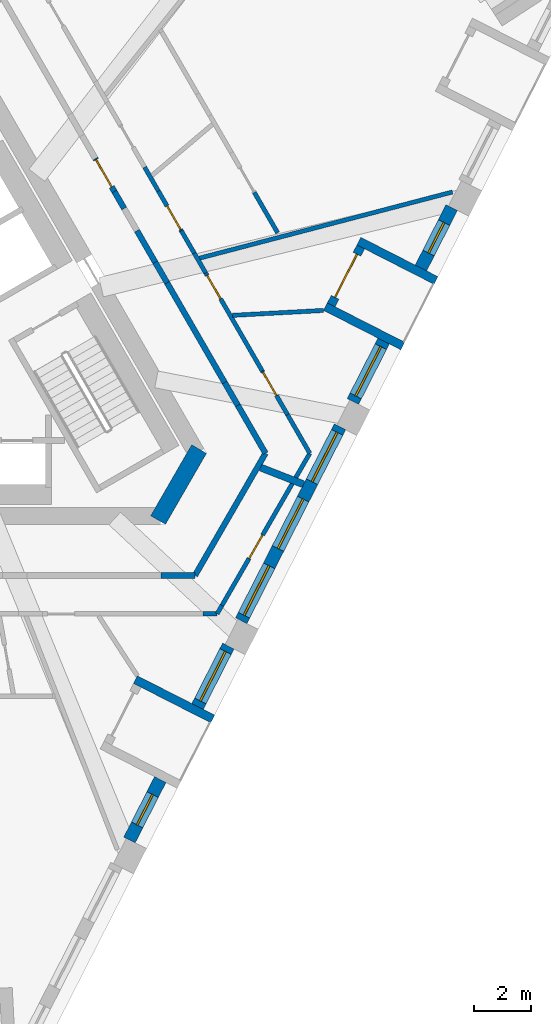
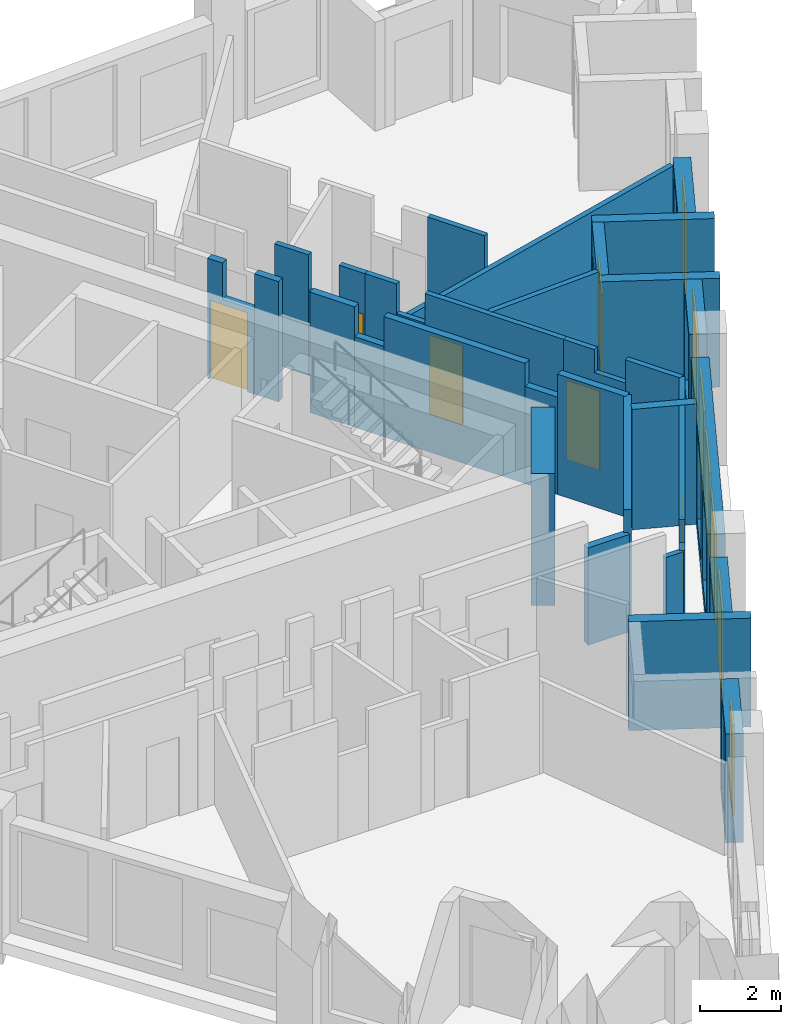
# One storey, part 5 of 12: 33 walls, 7 windows, 6 doors, 13 openings.
"""IFC4 building model written with IfcOpenShell, lengths in metres."""

from ifc_helpers import new_model, si_unit, direction, frame, frame_2d, origin, place, context, subcontext, project, spatial, polyline, rectangle, outline, extrude, material, layer, layer_set, type_object, element, fill, save


model = new_model("IFC4")

# Units and contexts
model_context = context("Model", 3, precision=1e-05, world=origin(), true_north=direction((0.0, 1.0)))
body_context = subcontext(model_context, "Body", "Model", "MODEL_VIEW")
ifc_project = project(units=[si_unit("LENGTHUNIT", "METRE"), si_unit("AREAUNIT", "SQUARE_METRE"), si_unit("VOLUMEUNIT", "CUBIC_METRE"), si_unit("PLANEANGLEUNIT", "RADIAN"), si_unit("MASSUNIT", "GRAM", prefix="KILO")], contexts=[model_context])

# Site, building, storey
site_placement = place(None, origin())
site = spatial("IfcSite", under=ifc_project, at=site_placement, CompositionType="ELEMENT")
building_placement = place(site_placement, origin())
building = spatial("IfcBuilding", under=site, at=building_placement, Name="Tramontana Tower", CompositionType="ELEMENT")
storey_placement = place(building_placement, frame((0.0, 0.0, 274.39990234375)))
storey = spatial("IfcBuildingStorey", under=building, at=storey_placement, Name="L64", CompositionType="ELEMENT", Elevation=274.39990234375)

# Walls
ifc_material_1 = material(Name="Concrete 70 MPa", Category="concrete")
ifc_layer_1 = layer(ifc_material_1, 0.60009765625)
ifc_layer_set_1 = layer_set([ifc_layer_1], Name="Core wall 600 70 MPa")
wall_type_1 = type_object("IfcWallType", Name="Core wall 600 70 MPa", PredefinedType="SHEAR", material=ifc_layer_set_1)
wall_1_placement = place(storey_placement, frame((8.544921875, -6.60009765625, 0.0), z_axis=(0.0, 0.0, 1.0), x_axis=(0.499995765644, 0.866027848477, 0.0)))
element("IfcWall", 1, at=wall_1_placement, inside=storey, type_object=wall_type_1, Name="Core wall C4 L64", PredefinedType="SHEAR", context=body_context, shape_type="SweptSolid", body=[
    extrude(rectangle(XDim=2.88671875, YDim=0.60009765625, at=frame_2d((1.443359375, 0.0))), origin(), (0.0, 0.0, 1.0), 4.0),
])
ifc_material_2 = material(Name="Blockwork", Category="masonry")
ifc_layer_2 = layer(ifc_material_2, 0.199951171875)
ifc_layer_set_2 = layer_set([ifc_layer_2], Name="ENTRY WALL 200")
wall_type_2 = type_object("IfcWallType", Name="ENTRY WALL 200", PredefinedType="SOLIDWALL", material=ifc_layer_set_2)
wall_2_placement = place(storey_placement, frame((12.326416015625, -4.25, 0.0), z_axis=(0.0, 0.0, 1.0), x_axis=(-0.50000478328, -0.866022642139, 0.0)))
element("IfcWall", 2, at=wall_2_placement, inside=storey, type_object=wall_type_2, Name="Wall v70-ew0", PredefinedType="SOLIDWALL", context=body_context, shape_type="SweptSolid", body=[
    extrude(rectangle(XDim=4.96533203125, YDim=0.199951171875, at=frame_2d((2.482666015625, 0.0))), origin(), (0.0, 0.0, 1.0), 3.650146484375),
])
wall_3_placement = place(storey_placement, frame((9.84375, -8.550048828125, 0.0), z_axis=(0.0, 0.0, 1.0), x_axis=(-1.0, 0.0, 0.0)))
element("IfcWall", 3, at=wall_3_placement, inside=storey, type_object=wall_type_2, Name="Wall v70-ew1-0", PredefinedType="SOLIDWALL", context=body_context, shape_type="SweptSolid", body=[
    extrude(rectangle(XDim=1.1884765625, YDim=0.199951171875, at=frame_2d((0.59423828125, 0.0))), origin(), (0.0, 0.0, 1.0), 2.9501953125),
])

# Wall, opening, door
wall_4_placement = place(storey_placement, frame((6.33740234375, 6.123291015625, 0.0), z_axis=(0.0, 0.0, 1.0), x_axis=(0.499943416353, -0.866058069904, 0.0)))
wall_4 = element("IfcWall", 4, at=wall_4_placement, inside=storey, type_object=wall_type_2, Name="Wall v70-ew5-4", PredefinedType="SOLIDWALL", context=body_context, shape_type="SweptSolid", body=[
    extrude(outline(polyline([(0.0, 0.0), (1.339111328125, 0.0), (1.3388671875, 2.550048828125), (0.429443359375, 2.550048828125), (0.429443359375, 3.650146484375), (0.0, 3.650146484375), (0.0, 0.0)])), frame((0.0, 0.10009765625, 0.0), z_axis=(0.0, -1.0, 0.0), x_axis=(1.0, 0.0, 0.0)), (0.0, 0.0, 1.0), 0.199951171875),
])
opening_1_placement = place(wall_4_placement, frame((0.050048828125, 0.0, 0.0)))
opening_1 = element("IfcOpeningElement", 5, at=opening_1_placement, cuts=wall_4, Name="Opening B7A-23", PredefinedType="OPENING", context=body_context, shape_type="SweptSolid", body=[
    extrude(rectangle(XDim=1.10009765625, YDim=2.39990234375, at=frame_2d((0.550048828125, 1.199951171875))), frame((0.0, 0.10986328125, 0.0), z_axis=(0.0, -1.0, 0.0), x_axis=(1.0, 0.0, 0.0)), (0.0, 0.0, 1.0), 0.219970703125),
])
ifc_material_3 = material(Name="Painted timber", Category="wood")
door_type_1 = type_object("IfcDoorType", Name="DOOR ENTRY 1100", OperationType="SINGLE_SWING_LEFT", PredefinedType="DOOR", material=ifc_material_3)
door_1_placement = place(opening_1_placement, origin())
door_1 = element("IfcDoor", 6, at=door_1_placement, inside=storey, type_object=door_type_1, Name="Door B7A-23", OperationType="SINGLE_SWING_LEFT", OverallHeight=2.39990234375, OverallWidth=1.10009765625, PredefinedType="DOOR", context=body_context, shape_type="SweptSolid", body=[
    extrude(rectangle(XDim=1.10009765625, YDim=2.39990234375, at=frame_2d((0.550048828125, 1.199951171875))), frame((0.0, 0.02490234375, 0.0), z_axis=(0.0, -1.0, 0.0), x_axis=(1.0, 0.0, 0.0)), (0.0, 0.0, 1.0), 0.050048828125),
])
fill(opening_1, door_1)

# Walls
wall_5_placement = place(storey_placement, frame((7.0068359375, 4.963623046875, 0.0), z_axis=(0.0, 0.0, 1.0), x_axis=(0.499977339252, -0.866038486578, 0.0)))
element("IfcWall", 7, at=wall_5_placement, inside=storey, type_object=wall_type_2, Name="Wall v70-ew5-5", PredefinedType="SOLIDWALL", context=body_context, shape_type="SweptSolid", body=[
    extrude(rectangle(XDim=0.69091796875, YDim=0.199951171875, at=frame_2d((0.345458984375, 0.0))), origin(), (0.0, 0.0, 1.0), 3.650146484375),
])
wall_6_placement = place(storey_placement, frame((7.802734375, 3.585205078125, 0.0), z_axis=(0.0, 0.0, 1.0), x_axis=(0.500018234033, -0.866014876105, 0.0)))
element("IfcWall", 8, at=wall_6_placement, inside=storey, type_object=wall_type_2, Name="Wall v70-ew5-7", PredefinedType="SOLIDWALL", context=body_context, shape_type="SweptSolid", body=[
    extrude(rectangle(XDim=1.2861328125, YDim=0.199951171875, at=frame_2d((0.64306640625, 0.0))), origin(), (0.0, 0.0, 1.0), 3.650146484375),
])
wall_7_placement = place(storey_placement, frame((8.44580078125, 2.471435546875, 0.0), z_axis=(0.0, 0.0, 1.0), x_axis=(0.499950631041, -0.86605390509, 0.0)))
element("IfcWall", 9, at=wall_7_placement, inside=storey, type_object=wall_type_2, Name="Wall v70-ew5-8", PredefinedType="SOLIDWALL", context=body_context, shape_type="SweptSolid", body=[
    extrude(rectangle(XDim=0.83349609375, YDim=0.199951171875, at=frame_2d((0.416748046875, 0.0))), origin(), (0.0, 0.0, 1.0), 2.75),
])
wall_8_placement = place(storey_placement, frame((8.862548828125, 1.74951171875, 0.0), z_axis=(0.0, 0.0, 1.0), x_axis=(0.500007556608, -0.866021040931, 0.0)))
element("IfcWall", 10, at=wall_8_placement, inside=storey, type_object=wall_type_2, Name="Wall v70-ew5-9", PredefinedType="SOLIDWALL", context=body_context, shape_type="SweptSolid", body=[
    extrude(rectangle(XDim=4.05224609375, YDim=0.199951171875, at=frame_2d((2.026123046875, 0.0))), origin(), (0.0, 0.0, 1.0), 3.650146484375),
])
wall_9_placement = place(storey_placement, frame((10.888671875, -1.759765625, 0.0), z_axis=(0.0, 0.0, 1.0), x_axis=(0.500102178127, -0.865966403178, 0.0)))
element("IfcWall", 11, at=wall_9_placement, inside=storey, type_object=wall_type_2, Name="Wall v70-ew5-10", PredefinedType="SOLIDWALL", context=body_context, shape_type="SweptSolid", body=[
    extrude(rectangle(XDim=0.927490234375, YDim=0.199951171875, at=frame_2d((0.4638671875, 0.0))), origin(), (0.0, 0.0, 1.0), 2.9501953125),
])
wall_10_placement = place(storey_placement, frame((11.3525390625, -2.56298828125, 0.0), z_axis=(0.0, 0.0, 1.0), x_axis=(0.499953905513, -0.866052014814, 0.0)))
element("IfcWall", 12, at=wall_10_placement, inside=storey, type_object=wall_type_2, Name="Wall v70-ew5-11", PredefinedType="SOLIDWALL", context=body_context, shape_type="SweptSolid", body=[
    extrude(rectangle(XDim=1.947998046875, YDim=0.199951171875, at=frame_2d((0.97412109375, 0.0))), origin(), (0.0, 0.0, 1.0), 3.650146484375),
])

# Wall, opening, window
ifc_material_4 = material(Name="Precast concrete 60 MPa", Category="concrete")
ifc_layer_3 = layer(ifc_material_4, 0.449951171875)
ifc_layer_set_3 = layer_set([ifc_layer_3], Name="Precast concrete 60 MPa, 450 mm")
wall_type_3 = type_object("IfcWallType", Name="EW1 Stone-faced precast wall 450", PredefinedType="SOLIDWALL", material=ifc_layer_set_3)
wall_11_placement = place(storey_placement, frame((7.53857421875, -17.859375, 0.0), z_axis=(0.0, 0.0, 1.0), x_axis=(0.454074413722, 0.890963762901, 0.0)))
wall_11 = element("IfcWall", 13, at=wall_11_placement, inside=storey, type_object=wall_type_3, Name="External wall L64 face 1 bay 2", PredefinedType="SOLIDWALL", context=body_context, shape_type="SweptSolid", body=[
    extrude(rectangle(XDim=2.38671875, YDim=0.449951171875, at=frame_2d((1.193359375, 0.0))), origin(), (0.0, 0.0, 1.0), 3.300048828125),
])
opening_2_placement = place(wall_11_placement, frame((0.59326171875, 0.0, 0.39990234375)))
opening_2 = element("IfcOpeningElement", 14, at=opening_2_placement, cuts=wall_11, Name="Opening N3", PredefinedType="OPENING", context=body_context, shape_type="SweptSolid", body=[
    extrude(rectangle(XDim=1.199951171875, YDim=2.75, at=frame_2d((0.60009765625, 1.375))), frame((0.0, 0.23486328125, 0.0), z_axis=(0.0, -1.0, 0.0), x_axis=(1.0, 0.0, 0.0)), (0.0, 0.0, 1.0), 0.469970703125),
])
ifc_material_5 = material(Name="Aluminum frame, double glazing unit", Category="aluminium")
window_type_1 = type_object("IfcWindowType", Name="N3 Window 1.2 x 2.75", PartitioningType="SINGLE_PANEL", PredefinedType="WINDOW", material=ifc_material_5)
window_1_placement = place(opening_2_placement, origin())
window_1 = element("IfcWindow", 15, at=window_1_placement, inside=storey, type_object=window_type_1, Name="Window N3 L64 face 1 module 4", OverallHeight=2.75, OverallWidth=1.199951171875, PartitioningType="SINGLE_PANEL", PredefinedType="WINDOW", context=body_context, shape_type="SweptSolid", body=[
    extrude(rectangle(XDim=1.199951171875, YDim=2.75, at=frame_2d((0.60009765625, 1.375))), frame((0.0, 0.030029296875, 0.0), z_axis=(0.0, -1.0, 0.0), x_axis=(1.0, 0.0, 0.0)), (0.0, 0.0, 1.0), 0.06005859375),
])
fill(opening_2, window_1)

wall_12_placement = place(storey_placement, frame((9.932861328125, -13.16064453125, 0.0), z_axis=(0.0, 0.0, 1.0), x_axis=(0.453993206954, 0.891005144788, 0.0)))
wall_12 = element("IfcWall", 16, at=wall_12_placement, inside=storey, type_object=wall_type_3, Name="External wall L64 face 1 bay 2", PredefinedType="SOLIDWALL", context=body_context, shape_type="SweptSolid", body=[
    extrude(rectangle(XDim=2.386474609375, YDim=0.449951171875, at=frame_2d((1.193359375, 0.0))), origin(), (0.0, 0.0, 1.0), 3.300048828125),
])
opening_3_placement = place(wall_12_placement, frame((0.21826171875, 0.0, 0.39990234375)))
opening_3 = element("IfcOpeningElement", 17, at=opening_3_placement, cuts=wall_12, Name="Opening M3", PredefinedType="OPENING", context=body_context, shape_type="SweptSolid", body=[
    extrude(rectangle(XDim=1.949951171875, YDim=2.75, at=frame_2d((0.97509765625, 1.375))), frame((0.0, 0.23486328125, 0.0), z_axis=(0.0, -1.0, 0.0), x_axis=(1.0, 0.0, 0.0)), (0.0, 0.0, 1.0), 0.469970703125),
])
ifc_material_6 = material(Name="Aluminum frame, double glazing unit", Category="aluminium")
window_type_2 = type_object("IfcWindowType", Name="M3 Window 1.95 x 2.75", PartitioningType="SINGLE_PANEL", PredefinedType="WINDOW", material=ifc_material_6)
window_2_placement = place(opening_3_placement, origin())
window_2 = element("IfcWindow", 18, at=window_2_placement, inside=storey, type_object=window_type_2, Name="Window M3 L64 face 1 module 6", OverallHeight=2.75, OverallWidth=1.949951171875, PartitioningType="SINGLE_PANEL", PredefinedType="WINDOW", context=body_context, shape_type="SweptSolid", body=[
    extrude(rectangle(XDim=1.949951171875, YDim=2.75, at=frame_2d((0.97509765625, 1.375))), frame((0.0, 0.030029296875, 0.0), z_axis=(0.0, -1.0, 0.0), x_axis=(1.0, 0.0, 0.0)), (0.0, 0.0, 1.0), 0.06005859375),
])
fill(opening_3, window_2)

# Wall, openings, windows
wall_13_placement = place(storey_placement, frame((11.47021484375, -10.14306640625, 0.0), z_axis=(0.0, 0.0, 1.0), x_axis=(0.453995484395, 0.891003984362, 0.0)))
wall_13 = element("IfcWall", 19, at=wall_13_placement, inside=storey, type_object=wall_type_3, Name="External wall L64 face 1 bay 3", PredefinedType="SOLIDWALL", context=body_context, shape_type="SweptSolid", body=[
    extrude(rectangle(XDim=7.660400390625, YDim=0.449951171875, at=frame_2d((3.830078125, 0.0))), origin(), (0.0, 0.0, 1.0), 3.300048828125),
])
opening_4_placement = place(wall_13_placement, frame((0.21826171875, 0.0, 0.39990234375)))
opening_4 = element("IfcOpeningElement", 20, at=opening_4_placement, cuts=wall_13, Name="Opening M3", PredefinedType="OPENING", context=body_context, shape_type="SweptSolid", body=[
    extrude(rectangle(XDim=1.949951171875, YDim=2.75, at=frame_2d((0.97509765625, 1.375))), frame((0.0, 0.23486328125, 0.0), z_axis=(0.0, -1.0, 0.0), x_axis=(1.0, 0.0, 0.0)), (0.0, 0.0, 1.0), 0.469970703125),
])
opening_5_placement = place(wall_13_placement, frame((2.855224609375, 0.0, 0.39990234375)))
opening_5 = element("IfcOpeningElement", 21, at=opening_5_placement, cuts=wall_13, Name="Opening M3", PredefinedType="OPENING", context=body_context, shape_type="SweptSolid", body=[
    extrude(rectangle(XDim=1.949951171875, YDim=2.75, at=frame_2d((0.97509765625, 1.375))), frame((0.0, 0.23486328125, 0.0), z_axis=(0.0, -1.0, 0.0), x_axis=(1.0, 0.0, 0.0)), (0.0, 0.0, 1.0), 0.469970703125),
])
opening_6_placement = place(wall_13_placement, frame((5.491943359375, 0.0, 0.39990234375)))
opening_6 = element("IfcOpeningElement", 22, at=opening_6_placement, cuts=wall_13, Name="Opening M3", PredefinedType="OPENING", context=body_context, shape_type="SweptSolid", body=[
    extrude(rectangle(XDim=1.949951171875, YDim=2.75, at=frame_2d((0.97509765625, 1.375))), frame((0.0, 0.23486328125, 0.0), z_axis=(0.0, -1.0, 0.0), x_axis=(1.0, 0.0, 0.0)), (0.0, 0.0, 1.0), 0.469970703125),
])
window_3_placement = place(opening_4_placement, origin())
window_3 = element("IfcWindow", 23, at=window_3_placement, inside=storey, type_object=window_type_2, Name="Window M3 L64 face 1 module 7", OverallHeight=2.75, OverallWidth=1.949951171875, PartitioningType="SINGLE_PANEL", PredefinedType="WINDOW", context=body_context, shape_type="SweptSolid", body=[
    extrude(rectangle(XDim=1.949951171875, YDim=2.75, at=frame_2d((0.97509765625, 1.375))), frame((0.0, 0.030029296875, 0.0), z_axis=(0.0, -1.0, 0.0), x_axis=(1.0, 0.0, 0.0)), (0.0, 0.0, 1.0), 0.06005859375),
])
fill(opening_4, window_3)
window_4_placement = place(opening_5_placement, origin())
window_4 = element("IfcWindow", 24, at=window_4_placement, inside=storey, type_object=window_type_2, Name="Window M3 L64 face 1 module 8", OverallHeight=2.75, OverallWidth=1.949951171875, PartitioningType="SINGLE_PANEL", PredefinedType="WINDOW", context=body_context, shape_type="SweptSolid", body=[
    extrude(rectangle(XDim=1.949951171875, YDim=2.75, at=frame_2d((0.97509765625, 1.375))), frame((0.0, 0.030029296875, 0.0), z_axis=(0.0, -1.0, 0.0), x_axis=(1.0, 0.0, 0.0)), (0.0, 0.0, 1.0), 0.06005859375),
])
fill(opening_5, window_4)
window_5_placement = place(opening_6_placement, origin())
window_5 = element("IfcWindow", 25, at=window_5_placement, inside=storey, type_object=window_type_2, Name="Window M3 L64 face 1 module 9", OverallHeight=2.75, OverallWidth=1.949951171875, PartitioningType="SINGLE_PANEL", PredefinedType="WINDOW", context=body_context, shape_type="SweptSolid", body=[
    extrude(rectangle(XDim=1.949951171875, YDim=2.75, at=frame_2d((0.97509765625, 1.375))), frame((0.0, 0.030029296875, 0.0), z_axis=(0.0, -1.0, 0.0), x_axis=(1.0, 0.0, 0.0)), (0.0, 0.0, 1.0), 0.06005859375),
])
fill(opening_6, window_5)

# Wall, opening, window
wall_14_placement = place(storey_placement, frame((15.402099609375, -2.4267578125, 0.0), z_axis=(0.0, 0.0, 1.0), x_axis=(0.453951830128, 0.891026226283, 0.0)))
wall_14 = element("IfcWall", 26, at=wall_14_placement, inside=storey, type_object=wall_type_3, Name="External wall L64 face 1 bay 4", PredefinedType="SOLIDWALL", context=body_context, shape_type="SweptSolid", body=[
    extrude(rectangle(XDim=2.38671875, YDim=0.449951171875, at=frame_2d((1.193359375, 0.0))), origin(), (0.0, 0.0, 1.0), 3.300048828125),
])
opening_7_placement = place(wall_14_placement, frame((0.21826171875, 0.0, 0.39990234375)))
opening_7 = element("IfcOpeningElement", 27, at=opening_7_placement, cuts=wall_14, Name="Opening M3", PredefinedType="OPENING", context=body_context, shape_type="SweptSolid", body=[
    extrude(rectangle(XDim=1.949951171875, YDim=2.75, at=frame_2d((0.97509765625, 1.375))), frame((0.0, 0.23486328125, 0.0), z_axis=(0.0, -1.0, 0.0), x_axis=(1.0, 0.0, 0.0)), (0.0, 0.0, 1.0), 0.469970703125),
])
window_6_placement = place(opening_7_placement, origin())
window_6 = element("IfcWindow", 28, at=window_6_placement, inside=storey, type_object=window_type_2, Name="Window M3 L64 face 1 module 10", OverallHeight=2.75, OverallWidth=1.949951171875, PartitioningType="SINGLE_PANEL", PredefinedType="WINDOW", context=body_context, shape_type="SweptSolid", body=[
    extrude(rectangle(XDim=1.949951171875, YDim=2.75, at=frame_2d((0.97509765625, 1.375))), frame((0.0, 0.030029296875, 0.0), z_axis=(0.0, -1.0, 0.0), x_axis=(1.0, 0.0, 0.0)), (0.0, 0.0, 1.0), 0.06005859375),
])
fill(opening_7, window_6)

wall_15_placement = place(storey_placement, frame((17.796142578125, 2.27197265625, 0.0), z_axis=(0.0, 0.0, 1.0), x_axis=(0.453951830128, 0.891026226283, 0.0)))
wall_15 = element("IfcWall", 29, at=wall_15_placement, inside=storey, type_object=wall_type_3, Name="External wall L64 face 1 bay 4", PredefinedType="SOLIDWALL", context=body_context, shape_type="SweptSolid", body=[
    extrude(rectangle(XDim=2.38671875, YDim=0.449951171875, at=frame_2d((1.193359375, 0.0))), origin(), (0.0, 0.0, 1.0), 3.300048828125),
])
opening_8_placement = place(wall_15_placement, frame((0.59326171875, 0.0, 0.39990234375)))
opening_8 = element("IfcOpeningElement", 30, at=opening_8_placement, cuts=wall_15, Name="Opening N3", PredefinedType="OPENING", context=body_context, shape_type="SweptSolid", body=[
    extrude(rectangle(XDim=1.199951171875, YDim=2.75, at=frame_2d((0.60009765625, 1.375))), frame((0.0, 0.23486328125, 0.0), z_axis=(0.0, -1.0, 0.0), x_axis=(1.0, 0.0, 0.0)), (0.0, 0.0, 1.0), 0.469970703125),
])
window_7_placement = place(opening_8_placement, origin())
window_7 = element("IfcWindow", 31, at=window_7_placement, inside=storey, type_object=window_type_1, Name="Window N3 L64 face 1 module 12", OverallHeight=2.75, OverallWidth=1.199951171875, PartitioningType="SINGLE_PANEL", PredefinedType="WINDOW", context=body_context, shape_type="SweptSolid", body=[
    extrude(rectangle(XDim=1.199951171875, YDim=2.75, at=frame_2d((0.60009765625, 1.375))), frame((0.0, 0.030029296875, 0.0), z_axis=(0.0, -1.0, 0.0), x_axis=(1.0, 0.0, 0.0)), (0.0, 0.0, 1.0), 0.06005859375),
])
fill(opening_8, window_7)

# Wall
ifc_material_7 = material(Name="Precast concrete 60 MPa", Category="concrete")
ifc_layer_4 = layer(ifc_material_7, 0.300048828125)
ifc_layer_set_4 = layer_set([ifc_layer_4], Name="LW1 Stone-faced loggia wall 300")
wall_type_4 = type_object("IfcWallType", Name="LW1 Stone-faced loggia wall 300", PredefinedType="SOLIDWALL", material=ifc_layer_set_4)
wall_16_placement = place(storey_placement, frame((10.466064453125, -13.600830078125, 0.0), z_axis=(0.0, 0.0, 1.0), x_axis=(-0.890991233495, 0.454020508165, 0.0)))
element("IfcWall", 32, at=wall_16_placement, inside=storey, type_object=wall_type_4, Name="Loggia return L64 G7S1.4b", PredefinedType="SOLIDWALL", context=body_context, shape_type="SweptSolid", body=[
    extrude(rectangle(XDim=3.050048828125, YDim=0.300048828125, at=frame_2d((1.52490234375, 0.0))), origin(), (0.0, 0.0, 1.0), 3.300048828125),
])

# Wall, opening, door
wall_17_placement = place(storey_placement, frame((14.63916015625, 0.977294921875, 0.0), z_axis=(0.0, 0.0, 1.0), x_axis=(0.45403292632, 0.890984905494, 0.0)))
wall_17 = element("IfcWall", 33, at=wall_17_placement, inside=storey, type_object=wall_type_4, Name="Loggia wall L64 G7S1.10", PredefinedType="SOLIDWALL", context=body_context, shape_type="SweptSolid", body=[
    extrude(rectangle(XDim=2.286865234375, YDim=0.300048828125, at=frame_2d((1.1435546875, 0.0))), origin(), (0.0, 0.0, 1.0), 3.300048828125),
])
opening_9_placement = place(wall_17_placement, frame((0.29345703125, 0.0, 0.0)))
opening_9 = element("IfcOpeningElement", 34, at=opening_9_placement, cuts=wall_17, Name="Opening BD-7S1-10", PredefinedType="OPENING", context=body_context, shape_type="SweptSolid", body=[
    extrude(rectangle(XDim=1.699951171875, YDim=2.5, at=frame_2d((0.85009765625, 1.25))), frame((0.0, 0.159912109375, 0.0), z_axis=(0.0, -1.0, 0.0), x_axis=(1.0, 0.0, 0.0)), (0.0, 0.0, 1.0), 0.320068359375),
])
ifc_material_8 = material(Name="Aluminum frame, double glazing unit", Category="aluminium")
door_type_2 = type_object("IfcDoorType", Name="BD3 Sliding door 1.7 x 2.5", OperationType="SLIDING_TO_LEFT", PredefinedType="DOOR", material=ifc_material_8)
door_2_placement = place(opening_9_placement, origin())
door_2 = element("IfcDoor", 35, at=door_2_placement, inside=storey, type_object=door_type_2, Name="Loggia door L64 G7S1.10", OperationType="SLIDING_TO_LEFT", OverallHeight=2.5, OverallWidth=1.699951171875, PredefinedType="DOOR", context=body_context, shape_type="SweptSolid", body=[
    extrude(rectangle(XDim=1.699951171875, YDim=2.5, at=frame_2d((0.85009765625, 1.25))), frame((0.0, 0.02490234375, 0.0), z_axis=(0.0, -1.0, 0.0), x_axis=(1.0, 0.0, 0.0)), (0.0, 0.0, 1.0), 0.050048828125),
])
fill(opening_9, door_2)

# Walls
for number, where, z_axis, x_axis, name in (
    (36, (17.155029296875, -0.472900390625, 0.0), (0.0, 0.0, 1.0), (-0.890991233495, 0.454020508165, 0.0), "Loggia return L64 G7S1.10a"),
    (37, (18.329345703125, 1.831787109375, 0.0), (0.0, 0.0, 1.0), (-0.890991233495, 0.454020508165, 0.0), "Loggia return L64 G7S1.10b"),
):
    element("IfcWall", number, at=place(storey_placement, frame(where, z_axis=z_axis, x_axis=x_axis)), inside=storey, type_object=wall_type_4, Name=name, PredefinedType="SOLIDWALL", context=body_context, shape_type="SweptSolid", body=[
        extrude(rectangle(XDim=3.050048828125, YDim=0.300048828125, at=frame_2d((1.52490234375, 0.0))), origin(), (0.0, 0.0, 1.0), 3.300048828125),
    ])
ifc_material_9 = material(Name="Gypsum board partition")
ifc_layer_5 = layer(ifc_material_9, 0.14990234375)
ifc_layer_set_5 = layer_set([ifc_layer_5], Name="PARTITION 150")
wall_type_5 = type_object("IfcWallType", Name="PARTITION 150", PredefinedType="PARTITIONING", material=ifc_layer_set_5)
wall_18_placement = place(storey_placement, frame((8.071044921875, 5.820556640625, 0.0), z_axis=(0.0, 0.0, 1.0), x_axis=(0.500071713487, -0.865983996024, 0.0)))
element("IfcWall", 38, at=wall_18_placement, inside=storey, type_object=wall_type_5, Name="Wall v70-pw18-5", PredefinedType="PARTITIONING", context=body_context, shape_type="SweptSolid", body=[
    extrude(rectangle(XDim=0.968017578125, YDim=0.14990234375, at=frame_2d((0.48388671875, 0.0))), origin(), (0.0, 0.0, 1.0), 3.650146484375),
])

# Wall, opening, door
wall_19_placement = place(storey_placement, frame((8.55517578125, 4.982177734375, 0.0), z_axis=(0.0, 0.0, 1.0), x_axis=(0.499957874332, -0.866049723684, 0.0)))
wall_19 = element("IfcWall", 39, at=wall_19_placement, inside=storey, type_object=wall_type_5, Name="Wall v70-pw18-6", PredefinedType="PARTITIONING", context=body_context, shape_type="SweptSolid", body=[
    extrude(outline(polyline([(0.0, 0.0), (1.615966796875, 0.0), (1.615966796875, 3.650146484375), (0.875732421875, 3.650146484375), (0.875732421875, 2.550048828125), (0.0, 2.550048828125), (0.0, 0.0)])), frame((0.0, 0.074951171875, 0.0), z_axis=(0.0, -1.0, 0.0), x_axis=(1.0, 0.0, 0.0)), (0.0, 0.0, 1.0), 0.14990234375),
])
opening_10_placement = place(wall_19_placement, frame((0.615966796875, 0.0, 0.0)))
opening_10 = element("IfcOpeningElement", 40, at=opening_10_placement, cuts=wall_19, Name="Opening B7A-14", PredefinedType="OPENING", context=body_context, shape_type="SweptSolid", body=[
    extrude(rectangle(XDim=0.949951171875, YDim=2.39990234375, at=frame_2d((0.47509765625, 1.199951171875))), frame((0.0, 0.0849609375, 0.0), z_axis=(0.0, -1.0, 0.0), x_axis=(1.0, 0.0, 0.0)), (0.0, 0.0, 1.0), 0.169921875),
])
ifc_material_10 = material(Name="Painted timber", Category="wood")
door_type_3 = type_object("IfcDoorType", Name="DOOR ROOM 950", OperationType="SINGLE_SWING_LEFT", PredefinedType="DOOR", material=ifc_material_10)
door_3_placement = place(opening_10_placement, origin())
door_3 = element("IfcDoor", 41, at=door_3_placement, inside=storey, type_object=door_type_3, Name="Door B7A-14", OperationType="SINGLE_SWING_RIGHT", OverallHeight=2.39990234375, OverallWidth=0.949951171875, PredefinedType="DOOR", context=body_context, shape_type="SweptSolid", body=[
    extrude(rectangle(XDim=0.949951171875, YDim=2.39990234375, at=frame_2d((0.47509765625, 1.199951171875))), frame((0.0, 0.02490234375, 0.0), z_axis=(0.0, -1.0, 0.0), x_axis=(1.0, 0.0, 0.0)), (0.0, 0.0, 1.0), 0.050048828125),
])
fill(opening_10, door_3)

# Walls
wall_20_placement = place(storey_placement, frame((9.363037109375, 3.582763671875, 0.0), z_axis=(0.0, 0.0, 1.0), x_axis=(0.500085693753, -0.86597592282, 0.0)))
element("IfcWall", 42, at=wall_20_placement, inside=storey, type_object=wall_type_5, Name="Wall v70-pw18-7", PredefinedType="PARTITIONING", context=body_context, shape_type="SweptSolid", body=[
    extrude(rectangle(XDim=0.911376953125, YDim=0.14990234375, at=frame_2d((0.45556640625, 0.0))), origin(), (0.0, 0.0, 1.0), 3.650146484375),
])
wall_21_placement = place(storey_placement, frame((9.81884765625, 2.79345703125, 0.0), z_axis=(0.0, 0.0, 1.0), x_axis=(0.499748625964, -0.866170486017, 0.0)))
element("IfcWall", 43, at=wall_21_placement, inside=storey, type_object=wall_type_5, Name="Wall v70-pw18-8", PredefinedType="PARTITIONING", context=body_context, shape_type="SweptSolid", body=[
    extrude(rectangle(XDim=0.8076171875, YDim=0.14990234375, at=frame_2d((0.40380859375, 0.0))), origin(), (0.0, 0.0, 1.0), 2.75),
])

# Wall, opening, door
wall_22_placement = place(storey_placement, frame((10.222412109375, 2.093994140625, 0.0), z_axis=(0.0, 0.0, 1.0), x_axis=(0.500039377857, -0.866002667774, 0.0)))
wall_22 = element("IfcWall", 44, at=wall_22_placement, inside=storey, type_object=wall_type_5, Name="Wall v70-pw18-9", PredefinedType="PARTITIONING", context=body_context, shape_type="SweptSolid", body=[
    extrude(rectangle(XDim=3.978759765625, YDim=0.14990234375, at=frame_2d((1.9892578125, 0.0))), origin(), (0.0, 0.0, 1.0), 3.650146484375),
])
opening_11_placement = place(wall_22_placement, frame((0.0966796875, 0.0, 0.0)))
opening_11 = element("IfcOpeningElement", 45, at=opening_11_placement, cuts=wall_22, Name="Opening B7A-16", PredefinedType="OPENING", context=body_context, shape_type="SweptSolid", body=[
    extrude(rectangle(XDim=0.949951171875, YDim=2.39990234375, at=frame_2d((0.47509765625, 1.199951171875))), frame((0.0, 0.0849609375, 0.0), z_axis=(0.0, -1.0, 0.0), x_axis=(1.0, 0.0, 0.0)), (0.0, 0.0, 1.0), 0.169921875),
])
door_4_placement = place(opening_11_placement, origin())
door_4 = element("IfcDoor", 46, at=door_4_placement, inside=storey, type_object=door_type_3, Name="Door B7A-16", OperationType="SINGLE_SWING_RIGHT", OverallHeight=2.39990234375, OverallWidth=0.949951171875, PredefinedType="DOOR", context=body_context, shape_type="SweptSolid", body=[
    extrude(rectangle(XDim=0.949951171875, YDim=2.39990234375, at=frame_2d((0.47509765625, 1.199951171875))), frame((0.0, 0.02490234375, 0.0), z_axis=(0.0, -1.0, 0.0), x_axis=(1.0, 0.0, 0.0)), (0.0, 0.0, 1.0), 0.050048828125),
])
fill(opening_11, door_4)

wall_23_placement = place(storey_placement, frame((12.2119140625, -1.3515625, 0.0), z_axis=(0.0, 0.0, 1.0), x_axis=(0.500011952599, -0.866018502838, 0.0)))
wall_23 = element("IfcWall", 47, at=wall_23_placement, inside=storey, type_object=wall_type_5, Name="Wall v70-pw18-10", PredefinedType="PARTITIONING", context=body_context, shape_type="SweptSolid", body=[
    extrude(outline(polyline([(0.0, 0.0), (1.7763671875, 0.0), (1.7763671875, 2.9501953125), (0.882080078125, 2.9501953125), (0.882080078125, 3.650146484375), (0.0, 3.650146484375), (0.0, 0.0)])), frame((0.0, 0.074951171875, 0.0), z_axis=(0.0, -1.0, 0.0), x_axis=(1.0, 0.0, 0.0)), (0.0, 0.0, 1.0), 0.14990234375),
])
opening_12_placement = place(wall_23_placement, frame((0.050048828125, 0.0, 0.0)))
opening_12 = element("IfcOpeningElement", 48, at=opening_12_placement, cuts=wall_23, Name="Opening B7A-17", PredefinedType="OPENING", context=body_context, shape_type="SweptSolid", body=[
    extrude(rectangle(XDim=0.949951171875, YDim=2.39990234375, at=frame_2d((0.47509765625, 1.199951171875))), frame((0.0, 0.0849609375, 0.0), z_axis=(0.0, -1.0, 0.0), x_axis=(1.0, 0.0, 0.0)), (0.0, 0.0, 1.0), 0.169921875),
])
door_5_placement = place(opening_12_placement, origin())
door_5 = element("IfcDoor", 49, at=door_5_placement, inside=storey, type_object=door_type_3, Name="Door B7A-17", OperationType="SINGLE_SWING_LEFT", OverallHeight=2.39990234375, OverallWidth=0.949951171875, PredefinedType="DOOR", context=body_context, shape_type="SweptSolid", body=[
    extrude(rectangle(XDim=0.949951171875, YDim=2.39990234375, at=frame_2d((0.47509765625, 1.199951171875))), frame((0.0, 0.02490234375, 0.0), z_axis=(0.0, -1.0, 0.0), x_axis=(1.0, 0.0, 0.0)), (0.0, 0.0, 1.0), 0.050048828125),
])
fill(opening_12, door_5)

# Walls
wall_24_placement = place(storey_placement, frame((13.10009765625, -2.889892578125, 0.0), z_axis=(0.0, 0.0, 1.0), x_axis=(0.499951222523, -0.866053563643, 0.0)))
element("IfcWall", 50, at=wall_24_placement, inside=storey, type_object=wall_type_5, Name="Wall v70-pw18-11", PredefinedType="PARTITIONING", context=body_context, shape_type="SweptSolid", body=[
    extrude(rectangle(XDim=1.570556640625, YDim=0.14990234375, at=frame_2d((0.78515625, 0.0))), origin(), (0.0, 0.0, 1.0), 3.650146484375),
])
wall_25_placement = place(storey_placement, frame((11.9326171875, 4.932373046875, 0.0), z_axis=(0.0, 0.0, 1.0), x_axis=(0.499958243719, -0.866049510442, 0.0)))
element("IfcWall", 51, at=wall_25_placement, inside=storey, type_object=wall_type_5, Name="Wall v70-pw24-5", PredefinedType="PARTITIONING", context=body_context, shape_type="SweptSolid", body=[
    extrude(rectangle(XDim=1.643310546875, YDim=0.14990234375, at=frame_2d((0.82177734375, 0.0))), origin(), (0.0, 0.0, 1.0), 3.650146484375),
])
wall_26_placement = place(storey_placement, frame((10.006591796875, 2.617919921875, 0.0), z_axis=(0.0, 0.0, 1.0), x_axis=(0.967438629988, 0.253105703624, 0.0)))
element("IfcWall", 52, at=wall_26_placement, inside=storey, type_object=wall_type_5, Name="Wall v70-pw25-0", PredefinedType="PARTITIONING", context=body_context, shape_type="SweptSolid", body=[
    extrude(rectangle(XDim=9.19921875, YDim=0.14990234375, at=frame_2d((4.599609375, 0.0))), origin(), (0.0, 0.0, 1.0), 2.75),
])
wall_27_placement = place(storey_placement, frame((10.623046875, -9.89990234375, 0.0), z_axis=(0.0, 0.0, 1.0), x_axis=(-1.0, 0.0, 0.0)))
element("IfcWall", 53, at=wall_27_placement, inside=storey, type_object=wall_type_5, Name="Wall v70-pw26-0", PredefinedType="PARTITIONING", context=body_context, shape_type="SweptSolid", body=[
    extrude(rectangle(XDim=0.501708984375, YDim=0.14990234375, at=frame_2d((0.2509765625, 0.0))), origin(), (0.0, 0.0, 1.0), 2.9501953125),
])

# Wall, opening, door
wall_28_placement = place(storey_placement, frame((13.88525390625, -4.25, 0.0), z_axis=(0.0, 0.0, 1.0), x_axis=(-0.500003887042, -0.866023159588, 0.0)))
wall_28 = element("IfcWall", 54, at=wall_28_placement, inside=storey, type_object=wall_type_5, Name="Wall v70-pw28-0", PredefinedType="PARTITIONING", context=body_context, shape_type="SweptSolid", body=[
    extrude(rectangle(XDim=6.1826171875, YDim=0.14990234375, at=frame_2d((3.09130859375, 0.0))), origin(), (0.0, 0.0, 1.0), 3.650146484375),
])
opening_13_placement = place(wall_28_placement, frame((3.322265625, 0.0, 0.0)))
opening_13 = element("IfcOpeningElement", 55, at=opening_13_placement, cuts=wall_28, Name="Opening B7A-13", PredefinedType="OPENING", context=body_context, shape_type="SweptSolid", body=[
    extrude(rectangle(XDim=0.949951171875, YDim=2.39990234375, at=frame_2d((0.47509765625, 1.199951171875))), frame((0.0, 0.0849609375, 0.0), z_axis=(0.0, -1.0, 0.0), x_axis=(1.0, 0.0, 0.0)), (0.0, 0.0, 1.0), 0.169921875),
])
door_6_placement = place(opening_13_placement, origin())
door_6 = element("IfcDoor", 56, at=door_6_placement, inside=storey, type_object=door_type_3, Name="Door B7A-13", OperationType="SINGLE_SWING_LEFT", OverallHeight=2.39990234375, OverallWidth=0.949951171875, PredefinedType="DOOR", context=body_context, shape_type="SweptSolid", body=[
    extrude(rectangle(XDim=0.949951171875, YDim=2.39990234375, at=frame_2d((0.47509765625, 1.199951171875))), frame((0.0, 0.02490234375, 0.0), z_axis=(0.0, -1.0, 0.0), x_axis=(1.0, 0.0, 0.0)), (0.0, 0.0, 1.0), 0.050048828125),
])
fill(opening_13, door_6)

# Walls
wall_29_placement = place(storey_placement, frame((10.7939453125, -9.604248046875, 0.0), z_axis=(0.0, 0.0, 1.0), x_axis=(-0.499908181442, -0.866078408764, 0.0)))
element("IfcWall", 57, at=wall_29_placement, inside=storey, type_object=wall_type_5, Name="Wall v70-pw28-1", PredefinedType="PARTITIONING", context=body_context, shape_type="SweptSolid", body=[
    extrude(rectangle(XDim=0.34130859375, YDim=0.14990234375, at=frame_2d((0.170654296875, 0.0))), origin(), (0.0, 0.0, 1.0), 2.9501953125),
])
wall_30_placement = place(storey_placement, frame((14.369384765625, 0.778076171875, 0.0), z_axis=(0.0, 0.0, 1.0), x_axis=(-0.99853649782, -0.054081998127, 0.0)))
element("IfcWall", 58, at=wall_30_placement, inside=storey, type_object=wall_type_5, Name="Wall v70-pw29", PredefinedType="PARTITIONING", context=body_context, shape_type="SweptSolid", body=[
    extrude(rectangle(XDim=3.205078125, YDim=0.14990234375, at=frame_2d((1.6025390625, 0.0))), origin(), (0.0, 0.0, 1.0), 3.650146484375),
])
ifc_material_11 = material(Name="Blockwork", Category="masonry")
ifc_layer_6 = layer(ifc_material_11, 0.25)
ifc_layer_set_6 = layer_set([ifc_layer_6], Name="PARTY WALL 250")
wall_type_6 = type_object("IfcWallType", Name="PARTY WALL 250", PredefinedType="SOLIDWALL", material=ifc_layer_set_6)
wall_31_placement = place(storey_placement, frame((12.152587890625, -4.751220703125, 0.0), z_axis=(0.0, 0.0, 1.0), x_axis=(0.931322658747, -0.364195147283, 0.0)))
element("IfcWall", 59, at=wall_31_placement, inside=storey, type_object=wall_type_6, Name="Wall v70-pw27", PredefinedType="SOLIDWALL", context=body_context, shape_type="SweptSolid", body=[
    extrude(rectangle(XDim=1.623046875, YDim=0.25, at=frame_2d((0.8115234375, 0.0))), origin(), (0.0, 0.0, 1.0), 3.650146484375),
])

save(model, "model.ifc")
